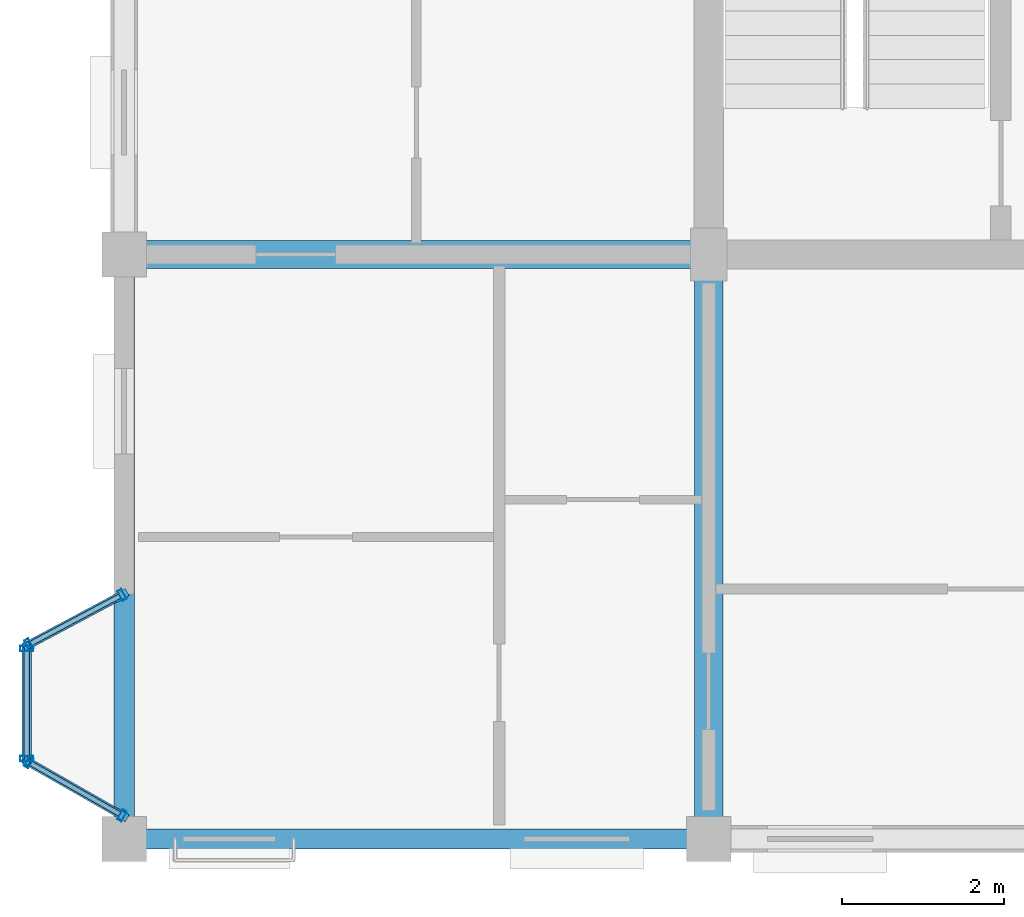
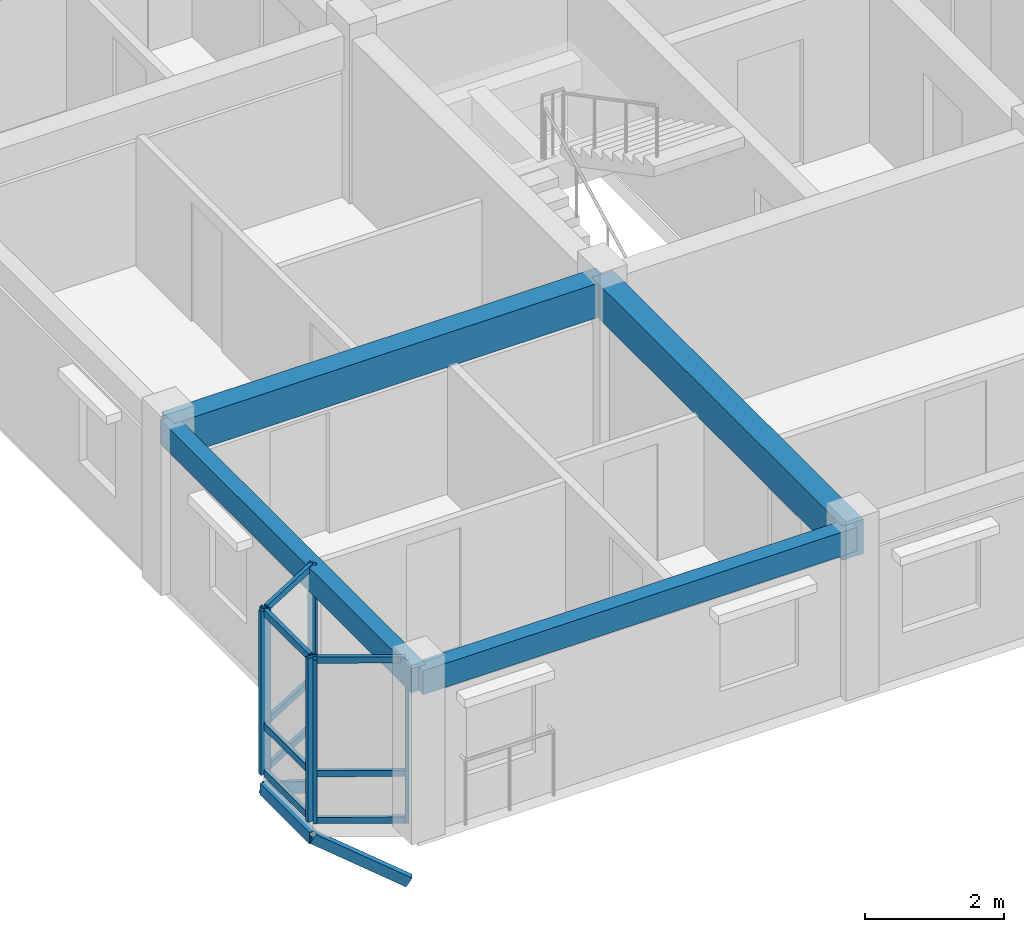
# One storey, part 2 of 75: 18 members, 4 beams, 3 elements without a shape of their own.
"""IFC4 building model written with IfcOpenShell, lengths in metres."""

from ifc_helpers import new_model, si_unit, direction, frame, origin, origin_2d, place, context, subcontext, project, spatial, rectangle, hollow_rectangle, extrude, material, layer, layer_set, material_profile, profile_set, type_object, element, aggregate, save


model = new_model("IFC4")

# Units and contexts
model_context = context("Model", 3, precision=1e-05, world=origin(), true_north=direction((0.0, 1.0)))
body_context = subcontext(model_context, "Body", "Model", "MODEL_VIEW")
ifc_project = project(units=[si_unit("LENGTHUNIT", "METRE"), si_unit("AREAUNIT", "SQUARE_METRE"), si_unit("VOLUMEUNIT", "CUBIC_METRE"), si_unit("PLANEANGLEUNIT", "RADIAN"), si_unit("MASSUNIT", "GRAM", prefix="KILO"), si_unit("THERMODYNAMICTEMPERATUREUNIT", "KELVIN"), si_unit("POWERUNIT", "WATT")], contexts=[model_context])

# Site, building, storey
site_placement = place(None, origin())
site = spatial("IfcSite", under=ifc_project, at=site_placement, CompositionType="ELEMENT")
building_placement = place(site_placement, origin())
building = spatial("IfcBuilding", under=site, at=building_placement, Name="Tavuni Mirador Residences", CompositionType="ELEMENT")
storey_placement = place(building_placement, frame((0.0, 0.0, 20.25)))
storey = spatial("IfcBuildingStorey", under=building, at=storey_placement, Name="L06", CompositionType="ELEMENT", Elevation=20.25)

# Beams
ifc_material_1 = material(Name="Precast concrete C40/50", Category="concrete")
ifc_material_profile_1 = material_profile(ifc_material_1, rectangle(XDim=0.35009765625, YDim=0.60009765625, at=origin_2d()), Name="PC 350x600", Category="concrete")
ifc_profile_set_1 = profile_set([ifc_material_profile_1], Name="Precast concrete C40/50")
beam_type_1 = type_object("IfcBeamType", Name="BT-B600", PredefinedType="BEAM", material=ifc_profile_set_1)
for number, where, z_axis, x_axis, name in (
    (1, (3.60009765625, 14.39990234375, 2.570068359375), (1.0, 0.0, 0.0), (0.0, 1.0, 0.0), "BMX-BLK-A-L06-00-01"),
    (2, (10.800048828125, 7.199951171875, 2.570068359375), (0.0, 1.0, 0.0), (-1.0, 0.0, 0.0), "BMY-BLK-A-L06-01-00"),
):
    element("IfcBeam", number, at=place(storey_placement, frame(where, z_axis=z_axis, x_axis=x_axis)), inside=storey, type_object=beam_type_1, Name=name, PredefinedType="BEAM", context=body_context, shape_type="SweptSolid", body=[
        extrude(rectangle(XDim=0.35009765625, YDim=0.60009765625, at=origin_2d()), origin(), (0.0, 0.0, 1.0), 7.199951171875),
    ])
ifc_material_profile_2 = material_profile(ifc_material_1, rectangle(XDim=0.25, YDim=0.419921875, at=origin_2d()), Name="PC 250x420", Category="concrete")
ifc_profile_set_2 = profile_set([ifc_material_profile_2], Name="Precast concrete C40/50")
beam_type_2 = type_object("IfcBeamType", Name="BT-SP420", PredefinedType="SPANDREL", material=ifc_profile_set_2)
for number, where, z_axis, x_axis, name in (
    (3, (3.60009765625, 7.199951171875, 2.659912109375), (1.0, 0.0, 0.0), (0.0, 1.0, 0.0), "BMX-BLK-A-L06-00-00"),
    (4, (3.60009765625, 7.199951171875, 2.659912109375), (0.0, 1.0, 0.0), (-1.0, 0.0, 0.0), "BMY-BLK-A-L06-00-00"),
):
    element("IfcBeam", number, at=place(storey_placement, frame(where, z_axis=z_axis, x_axis=x_axis)), inside=storey, type_object=beam_type_2, Name=name, PredefinedType="SPANDREL", context=body_context, shape_type="SweptSolid", body=[
        extrude(rectangle(XDim=0.25, YDim=0.419921875, at=origin_2d()), origin(), (0.0, 0.0, 1.0), 7.199951171875),
    ])

# Curtain wall, members
ifc_material_2 = material(Name="Anodised aluminium", Category="aluminium")
ifc_layer_1 = layer(ifc_material_2, 0.175048828125, Name="Anodised aluminium", Category="aluminium")
ifc_layer_set_1 = layer_set([ifc_layer_1], Name="Anodised aluminium")
curtain_wall_type_1 = type_object("IfcCurtainWallType", Name="CWT-MIR-C", PredefinedType="NOTDEFINED", material=ifc_layer_set_1)
curtain_wall_1_placement = place(storey_placement, origin())
curtain_wall_1 = element("IfcCurtainWall", 5, at=curtain_wall_1_placement, inside=storey, type_object=curtain_wall_type_1, Name="CW-MIR-A-W1-L06-M1", PredefinedType="NOTDEFINED")
ifc_material_profile_3 = material_profile(ifc_material_2, hollow_rectangle(XDim=0.06005859375, YDim=0.139892578125, WallThickness=0.00390625, at=origin_2d()), Name="ALU 60x140x4.0", Category="aluminium")
ifc_profile_set_3 = profile_set([ifc_material_profile_3], Name="Anodised aluminium")
member_type_1 = type_object("IfcMemberType", Name="CWM-140", PredefinedType="MULLION", material=ifc_profile_set_3)
member_1_placement = place(storey_placement, frame((3.573486328125, 10.205810546875, 0.0), z_axis=(0.0, 0.0, 1.0), x_axis=(-0.882352941175, -0.470588235296, 0.0)))
member_1 = element("IfcMember", 6, at=member_1_placement, type_object=member_type_1, Name="CW-03 mullion 1", PredefinedType="MULLION", context=body_context, shape_type="SweptSolid", body=[
    extrude(hollow_rectangle(XDim=0.06005859375, YDim=0.139892578125, WallThickness=0.00390625, at=origin_2d()), origin(), (0.0, 0.0, 1.0), 2.8701171875),
])
member_2_placement = place(storey_placement, frame((2.426513671875, 9.59423828125, 0.0), z_axis=(0.0, 0.0, 1.0), x_axis=(-0.882352941175, -0.470588235296, 0.0)))
member_2 = element("IfcMember", 7, at=member_2_placement, type_object=member_type_1, Name="CW-03 mullion 2", PredefinedType="MULLION", context=body_context, shape_type="SweptSolid", body=[
    extrude(hollow_rectangle(XDim=0.06005859375, YDim=0.139892578125, WallThickness=0.00390625, at=origin_2d()), origin(), (0.0, 0.0, 1.0), 2.8701171875),
])

ifc_layer_2 = layer(ifc_material_2, 0.1650390625, Name="Anodised aluminium", Category="aluminium")
ifc_layer_set_2 = layer_set([ifc_layer_2], Name="Anodised aluminium")
curtain_wall_type_2 = type_object("IfcCurtainWallType", Name="CWT-MIR-A", PredefinedType="NOTDEFINED", material=ifc_layer_set_2)
curtain_wall_2_placement = place(storey_placement, origin())
curtain_wall_2 = element("IfcCurtainWall", 8, at=curtain_wall_2_placement, inside=storey, type_object=curtain_wall_type_2, Name="CW-MIR-A-W1-L06-M2", PredefinedType="NOTDEFINED")
member_3_placement = place(storey_placement, frame((2.426025390625, 8.14501953125, 0.0), z_axis=(0.0, 0.0, 1.0), x_axis=(0.868465738194, -0.495749192217, 0.0)))
member_3 = element("IfcMember", 9, at=member_3_placement, type_object=member_type_1, Name="CW-01 mullion 1", PredefinedType="MULLION", context=body_context, shape_type="SweptSolid", body=[
    extrude(hollow_rectangle(XDim=0.06005859375, YDim=0.139892578125, WallThickness=0.00390625, at=origin_2d()), origin(), (0.0, 0.0, 1.0), 2.8701171875),
])
member_4_placement = place(storey_placement, frame((3.573974609375, 7.489990234375, 0.0), z_axis=(0.0, 0.0, 1.0), x_axis=(0.868465738194, -0.495749192217, 0.0)))
member_4 = element("IfcMember", 10, at=member_4_placement, type_object=member_type_1, Name="CW-01 mullion 2", PredefinedType="MULLION", context=body_context, shape_type="SweptSolid", body=[
    extrude(hollow_rectangle(XDim=0.06005859375, YDim=0.139892578125, WallThickness=0.00390625, at=origin_2d()), origin(), (0.0, 0.0, 1.0), 2.8701171875),
])

ifc_layer_3 = layer(ifc_material_2, 0.159912109375, Name="Anodised aluminium", Category="aluminium")
ifc_layer_set_3 = layer_set([ifc_layer_3], Name="Anodised aluminium")
curtain_wall_type_3 = type_object("IfcCurtainWallType", Name="CWT-MIR-D", PredefinedType="NOTDEFINED", material=ifc_layer_set_3)
curtain_wall_3_placement = place(storey_placement, origin())
curtain_wall_3 = element("IfcCurtainWall", 11, at=curtain_wall_3_placement, inside=storey, type_object=curtain_wall_type_3, Name="CW-MIR-A-W1-L06-MF", PredefinedType="NOTDEFINED")
ifc_material_profile_4 = material_profile(ifc_material_2, hollow_rectangle(XDim=0.06494140625, YDim=0.1650390625, WallThickness=0.00439453125, at=origin_2d()), Name="ALU 65x165x4.5", Category="aluminium")
ifc_profile_set_4 = profile_set([ifc_material_profile_4], Name="Anodised aluminium")
member_type_2 = type_object("IfcMemberType", Name="CWM-165", PredefinedType="MULLION", material=ifc_profile_set_4)
member_5_placement = place(storey_placement, frame((2.39990234375, 9.547607421875, 0.0), z_axis=(0.0, 0.0, 1.0), x_axis=(0.0, -1.0, 0.0)))
member_5 = element("IfcMember", 12, at=member_5_placement, type_object=member_type_2, Name="CW-04 mullion 1", PredefinedType="MULLION", context=body_context, shape_type="SweptSolid", body=[
    extrude(hollow_rectangle(XDim=0.06494140625, YDim=0.1650390625, WallThickness=0.00439453125, at=origin_2d()), origin(), (0.0, 0.0, 1.0), 2.8701171875),
])
member_6_placement = place(storey_placement, frame((2.39990234375, 8.1923828125, 0.0), z_axis=(0.0, 0.0, 1.0), x_axis=(0.0, -1.0, 0.0)))
member_6 = element("IfcMember", 13, at=member_6_placement, type_object=member_type_2, Name="CW-04 mullion 2", PredefinedType="MULLION", context=body_context, shape_type="SweptSolid", body=[
    extrude(hollow_rectangle(XDim=0.06494140625, YDim=0.1650390625, WallThickness=0.00439453125, at=origin_2d()), origin(), (0.0, 0.0, 1.0), 2.8701171875),
])

# Member
ifc_material_profile_5 = material_profile(ifc_material_2, hollow_rectangle(XDim=0.06005859375, YDim=0.110107421875, WallThickness=0.00390625, at=origin_2d()), Name="ALU 60x110x4.0", Category="aluminium")
ifc_profile_set_5 = profile_set([ifc_material_profile_5], Name="Anodised aluminium")
member_type_3 = type_object("IfcMemberType", Name="CWT-110", PredefinedType="USERDEFINED", material=ifc_profile_set_5)
member_7_placement = place(storey_placement, frame((3.547119140625, 10.191650390625, 0.030029296875), z_axis=(-0.882385637708, -0.470526924168, 0.0), x_axis=(0.470526924168, -0.882385637708, 0.0)))
member_7 = element("IfcMember", 14, at=member_7_placement, type_object=member_type_3, Name="CW-03 transom 1.1", ObjectType="TRANSOM", PredefinedType="USERDEFINED", context=body_context, shape_type="SweptSolid", body=[
    extrude(hollow_rectangle(XDim=0.06005859375, YDim=0.110107421875, WallThickness=0.00390625, at=origin_2d()), origin(), (0.0, 0.0, 1.0), 1.239990234375),
])

member_8_placement = place(storey_placement, frame((3.547119140625, 10.191650390625, 0.85009765625), z_axis=(-0.882385637708, -0.470526924168, 0.0), x_axis=(0.470526924168, -0.882385637708, 0.0)))
member_8 = element("IfcMember", 15, at=member_8_placement, type_object=member_type_3, Name="CW-03 transom 1.2", ObjectType="TRANSOM", PredefinedType="USERDEFINED", context=body_context, shape_type="SweptSolid", body=[
    extrude(hollow_rectangle(XDim=0.06005859375, YDim=0.110107421875, WallThickness=0.00390625, at=origin_2d()), origin(), (0.0, 0.0, 1.0), 1.239990234375),
])

member_9_placement = place(storey_placement, frame((3.547119140625, 10.191650390625, 2.840087890625), z_axis=(-0.882385637708, -0.470526924168, 0.0), x_axis=(0.470526924168, -0.882385637708, 0.0)))
member_9 = element("IfcMember", 16, at=member_9_placement, type_object=member_type_3, Name="CW-03 transom 1.3", ObjectType="TRANSOM", PredefinedType="USERDEFINED", context=body_context, shape_type="SweptSolid", body=[
    extrude(hollow_rectangle(XDim=0.06005859375, YDim=0.110107421875, WallThickness=0.00390625, at=origin_2d()), origin(), (0.0, 0.0, 1.0), 1.239990234375),
])

aggregate(curtain_wall_1, [member_1, member_2, member_7, member_8, member_9])

member_10_placement = place(storey_placement, frame((2.4521484375, 8.13037109375, 0.030029296875), z_axis=(0.868374088354, -0.495909712222, 0.0), x_axis=(0.495909712222, 0.868374088354, 0.0)))
member_10 = element("IfcMember", 17, at=member_10_placement, type_object=member_type_3, Name="CW-01 transom 1.1", ObjectType="TRANSOM", PredefinedType="USERDEFINED", context=body_context, shape_type="SweptSolid", body=[
    extrude(hollow_rectangle(XDim=0.06005859375, YDim=0.110107421875, WallThickness=0.00390625, at=origin_2d()), origin(), (0.0, 0.0, 1.0), 1.26171875),
])

member_11_placement = place(storey_placement, frame((2.4521484375, 8.13037109375, 0.85009765625), z_axis=(0.868374088354, -0.495909712222, 0.0), x_axis=(0.495909712222, 0.868374088354, 0.0)))
member_11 = element("IfcMember", 18, at=member_11_placement, type_object=member_type_3, Name="CW-01 transom 1.2", ObjectType="TRANSOM", PredefinedType="USERDEFINED", context=body_context, shape_type="SweptSolid", body=[
    extrude(hollow_rectangle(XDim=0.06005859375, YDim=0.110107421875, WallThickness=0.00390625, at=origin_2d()), origin(), (0.0, 0.0, 1.0), 1.26171875),
])

member_12_placement = place(storey_placement, frame((2.4521484375, 8.13037109375, 2.840087890625), z_axis=(0.868374088354, -0.495909712222, 0.0), x_axis=(0.495909712222, 0.868374088354, 0.0)))
member_12 = element("IfcMember", 19, at=member_12_placement, type_object=member_type_3, Name="CW-01 transom 1.3", ObjectType="TRANSOM", PredefinedType="USERDEFINED", context=body_context, shape_type="SweptSolid", body=[
    extrude(hollow_rectangle(XDim=0.06005859375, YDim=0.110107421875, WallThickness=0.00390625, at=origin_2d()), origin(), (0.0, 0.0, 1.0), 1.26171875),
])

aggregate(curtain_wall_2, [member_3, member_4, member_10, member_11, member_12])

ifc_material_profile_6 = material_profile(ifc_material_2, hollow_rectangle(XDim=0.06494140625, YDim=0.125, WallThickness=0.00439453125, at=origin_2d()), Name="ALU 65x125x4.5", Category="aluminium")
ifc_profile_set_6 = profile_set([ifc_material_profile_6], Name="Anodised aluminium")
member_type_4 = type_object("IfcMemberType", Name="CWT-125", PredefinedType="USERDEFINED", material=ifc_profile_set_6)
member_13_placement = place(storey_placement, frame((2.39990234375, 9.514892578125, 0.032470703125), z_axis=(0.0, -1.0, 0.0), x_axis=(1.0, 0.0, 0.0)))
member_13 = element("IfcMember", 20, at=member_13_placement, type_object=member_type_4, Name="CW-04 transom 1.1", ObjectType="TRANSOM", PredefinedType="USERDEFINED", context=body_context, shape_type="SweptSolid", body=[
    extrude(hollow_rectangle(XDim=0.06494140625, YDim=0.125, WallThickness=0.00439453125, at=origin_2d()), origin(), (0.0, 0.0, 1.0), 1.289794921875),
])

member_14_placement = place(storey_placement, frame((2.39990234375, 9.514892578125, 0.85009765625), z_axis=(0.0, -1.0, 0.0), x_axis=(1.0, 0.0, 0.0)))
member_14 = element("IfcMember", 21, at=member_14_placement, type_object=member_type_4, Name="CW-04 transom 1.2", ObjectType="TRANSOM", PredefinedType="USERDEFINED", context=body_context, shape_type="SweptSolid", body=[
    extrude(hollow_rectangle(XDim=0.06494140625, YDim=0.125, WallThickness=0.00439453125, at=origin_2d()), origin(), (0.0, 0.0, 1.0), 1.289794921875),
])

member_15_placement = place(storey_placement, frame((2.39990234375, 9.514892578125, 2.83740234375), z_axis=(0.0, -1.0, 0.0), x_axis=(1.0, 0.0, 0.0)))
member_15 = element("IfcMember", 22, at=member_15_placement, type_object=member_type_4, Name="CW-04 transom 1.3", ObjectType="TRANSOM", PredefinedType="USERDEFINED", context=body_context, shape_type="SweptSolid", body=[
    extrude(hollow_rectangle(XDim=0.06494140625, YDim=0.125, WallThickness=0.00439453125, at=origin_2d()), origin(), (0.0, 0.0, 1.0), 1.289794921875),
])

aggregate(curtain_wall_3, [member_5, member_6, member_13, member_14, member_15])

# Members
ifc_material_3 = material(Name="Structural steel S355", Category="steel")
ifc_material_profile_7 = material_profile(ifc_material_3, hollow_rectangle(XDim=0.10009765625, YDim=0.179931640625, WallThickness=0.008056640625, at=origin_2d()), Name="RHS 180x100x8.0", Category="steel")
ifc_profile_set_7 = profile_set([ifc_material_profile_7], Name="Structural steel S355")
member_type_5 = type_object("IfcMemberType", Name="MT-BR-RHS180", PredefinedType="BRACE", material=ifc_profile_set_7)
member_16_placement = place(storey_placement, frame((3.60009765625, 7.47509765625, -1.050048828125), z_axis=(-0.758710666466, 0.432909564572, 0.486772465833), x_axis=(-0.495587053321, -0.868558272415, 0.0)))
element("IfcMember", 23, at=member_16_placement, inside=storey, type_object=member_type_5, Name="MBRK-MIR-A-W1-L06-1", PredefinedType="BRACE", context=body_context, shape_type="SweptSolid", body=[
    extrude(hollow_rectangle(XDim=0.10009765625, YDim=0.179931640625, WallThickness=0.008056640625, at=origin_2d()), origin(), (0.0, 0.0, 1.0), 1.581787109375),
])
member_17_placement = place(storey_placement, frame((3.60009765625, 10.219970703125, -1.050048828125), z_axis=(-0.767896193149, -0.409409260017, 0.492665702439), x_axis=(0.470467115558, -0.882417527692, 0.0)))
element("IfcMember", 24, at=member_17_placement, inside=storey, type_object=member_type_5, Name="MBRK-MIR-A-W1-L06-2", PredefinedType="BRACE", context=body_context, shape_type="SweptSolid", body=[
    extrude(hollow_rectangle(XDim=0.10009765625, YDim=0.179931640625, WallThickness=0.008056640625, at=origin_2d()), origin(), (0.0, 0.0, 1.0), 1.56298828125),
])
ifc_material_profile_8 = material_profile(ifc_material_3, hollow_rectangle(XDim=0.1201171875, YDim=0.199951171875, WallThickness=0.010009765625, at=origin_2d()), Name="RHS 200x120x10.0", Category="steel")
ifc_profile_set_8 = profile_set([ifc_material_profile_8], Name="Structural steel S355")
member_type_6 = type_object("IfcMemberType", Name="MT-ST-RHS200", PredefinedType="STRUT", material=ifc_profile_set_8)
member_18_placement = place(storey_placement, frame((2.39990234375, 8.159912109375, -0.280029296875), z_axis=(0.0, 1.0, 0.0), x_axis=(-1.0, 0.0, 0.0)))
element("IfcMember", 25, at=member_18_placement, inside=storey, type_object=member_type_6, Name="MRIM-MIR-A-W1-L06", PredefinedType="STRUT", context=body_context, shape_type="SweptSolid", body=[
    extrude(hollow_rectangle(XDim=0.1201171875, YDim=0.199951171875, WallThickness=0.010009765625, at=origin_2d()), origin(), (0.0, 0.0, 1.0), 1.420166015625),
])

save(model, "model.ifc")
